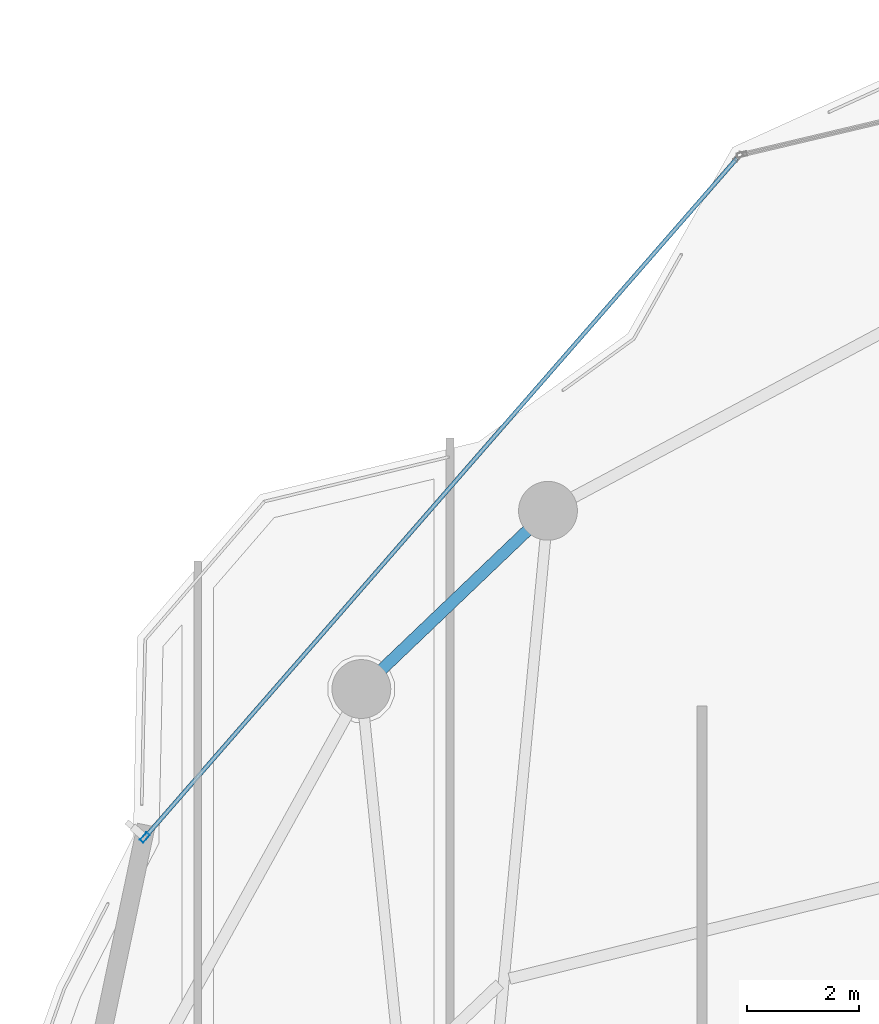
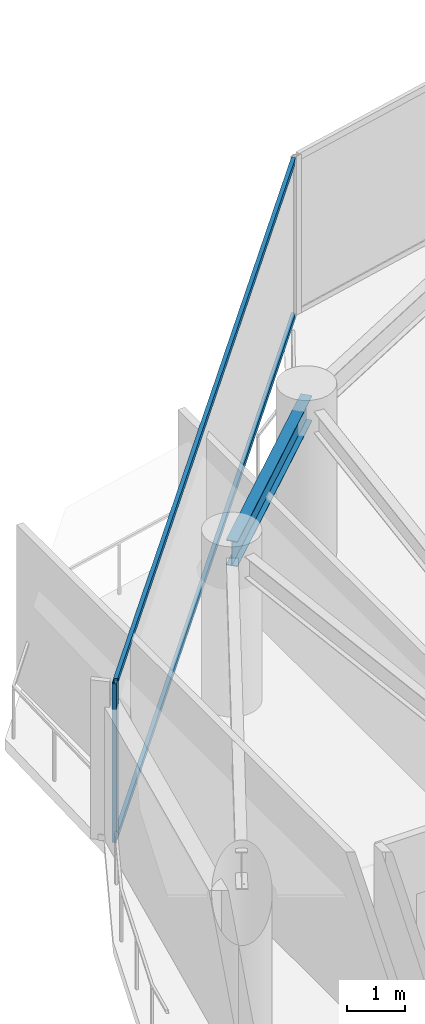
# One storey, part 16 of 29: 3 members, 1 beam, 1 element without a shape of its own.
"""IFC4 building model written with IfcOpenShell, lengths in metres."""

from ifc_helpers import new_model, si_unit, direction, frame, origin, origin_2d, place, context, subcontext, project, spatial, hollow_rectangle, i_section, extrude, material, layer, layer_set, material_profile, profile_set, type_object, element, aggregate, save


model = new_model("IFC4")

# Units and contexts
model_context = context("Model", 3, precision=1e-05, world=origin(), true_north=direction((0.0, 1.0)))
body_context = subcontext(model_context, "Body", "Model", "MODEL_VIEW")
ifc_project = project(units=[si_unit("LENGTHUNIT", "METRE"), si_unit("AREAUNIT", "SQUARE_METRE"), si_unit("VOLUMEUNIT", "CUBIC_METRE"), si_unit("PLANEANGLEUNIT", "RADIAN"), si_unit("MASSUNIT", "GRAM", prefix="KILO")], contexts=[model_context])

# Site, building, storey
site_placement = place(None, origin())
site = spatial("IfcSite", under=ifc_project, at=site_placement, CompositionType="ELEMENT")
building_placement = place(site_placement, origin())
building = spatial("IfcBuilding", under=site, at=building_placement, Name="Kazevale Care Tower and Concert Hall", CompositionType="ELEMENT")
storey_placement = place(building_placement, frame((0.0, 0.0, 224.39990234375)))
storey = spatial("IfcBuildingStorey", under=building, at=storey_placement, Name="L59", CompositionType="ELEMENT", Elevation=224.39990234375)

# Curtain wall, members
ifc_material_1 = material(Name="Aluminium 6063-T6 and Low-E Glass", Category="aluminium")
ifc_layer = layer(ifc_material_1, 0.179931640625)
ifc_layer_set = layer_set([ifc_layer], Name="Aluminium 6063-T6 and Low-E Glass")
curtain_wall_type = type_object("IfcCurtainWallType", Name="Convex Checkerboard Finned Curtain Wall CW-2", PredefinedType="NOTDEFINED", material=ifc_layer_set)
curtain_wall_placement = place(storey_placement, origin())
curtain_wall = element("IfcCurtainWall", 1, at=curtain_wall_placement, inside=storey, type_object=curtain_wall_type, Name="cw:L59:f14", PredefinedType="NOTDEFINED")
ifc_material_2 = material(Name="Aluminium 6063-T6", Category="aluminium")
ifc_material_profile_1 = material_profile(ifc_material_2, hollow_rectangle(XDim=0.080078125, YDim=0.179931640625, WallThickness=0.0048828125, at=origin_2d()), Name="ALU80x180x5")
ifc_profile_set_1 = profile_set([ifc_material_profile_1], Name="Aluminium 6063-T6")
member_type_1 = type_object("IfcMemberType", Name="CW-2 Mullion ALU80x180x5", PredefinedType="MULLION", material=ifc_profile_set_1)
member_1_placement = place(storey_placement, frame((16.55419921875, 49.17919921875, 0.0), z_axis=(0.0, 0.0, 1.0), x_axis=(-0.753738225685, 0.657174776708, 0.0)))
member_1 = element("IfcMember", 2, at=member_1_placement, type_object=member_type_1, Name="CW-2 mullion 1", PredefinedType="MULLION", context=body_context, shape_type="SweptSolid", body=[
    extrude(hollow_rectangle(XDim=0.080078125, YDim=0.179931640625, WallThickness=0.0048828125, at=origin_2d()), origin(), (0.0, 0.0, 1.0), 3.360107421875),
])
ifc_material_profile_2 = material_profile(ifc_material_2, hollow_rectangle(XDim=0.074951171875, YDim=0.1201171875, WallThickness=0.00390625, at=origin_2d()), Name="ALU75x120x4")
ifc_profile_set_2 = profile_set([ifc_material_profile_2], Name="Aluminium 6063-T6")
member_type_2 = type_object("IfcMemberType", Name="CW-2 Transom ALU75x120x4", PredefinedType="USERDEFINED", material=ifc_profile_set_2)
member_2_placement = place(storey_placement, frame((16.58056640625, 49.209228515625, 0.03759765625), z_axis=(0.657173569472, 0.753739278257, 0.0), x_axis=(-0.753739278257, 0.657173569472, 0.0)))
member_2 = element("IfcMember", 3, at=member_2_placement, type_object=member_type_2, Name="CW-2 transom 1.1", ObjectType="TRANSOM", PredefinedType="USERDEFINED", context=body_context, shape_type="SweptSolid", body=[
    extrude(hollow_rectangle(XDim=0.074951171875, YDim=0.1201171875, WallThickness=0.00390625, at=origin_2d()), origin(), (0.0, 0.0, 1.0), 16.03662109375),
])
member_3_placement = place(storey_placement, frame((16.58056640625, 49.209228515625, 3.322509765625), z_axis=(0.657173569472, 0.753739278257, 0.0), x_axis=(-0.753739278257, 0.657173569472, 0.0)))
member_3 = element("IfcMember", 4, at=member_3_placement, type_object=member_type_2, Name="CW-2 transom 1.2", ObjectType="TRANSOM", PredefinedType="USERDEFINED", context=body_context, shape_type="SweptSolid", body=[
    extrude(hollow_rectangle(XDim=0.074951171875, YDim=0.1201171875, WallThickness=0.00390625, at=origin_2d()), origin(), (0.0, 0.0, 1.0), 16.03662109375),
])
aggregate(curtain_wall, [member_1, member_2, member_3])

# Beam
ifc_material_3 = material(Name="Steel ASTM A572 Gr 50", Category="steel")
ifc_material_profile_3 = material_profile(ifc_material_3, i_section(OverallWidth=0.208984375, OverallDepth=0.532958984375, WebThickness=0.01025390625, FlangeThickness=0.015625, at=origin_2d()), Name="W530x92")
ifc_profile_set_3 = profile_set([ifc_material_profile_3], Name="Steel ASTM A572 Gr 50")
beam_type = type_object("IfcBeamType", Name="Upper Ring Beam W530x92", PredefinedType="BEAM", material=ifc_profile_set_3)
beam_placement = place(storey_placement, frame((23.75, 55.010009765625, 3.093505859375), z_axis=(-0.723223118589, -0.690614451585, 0.0), x_axis=(0.690614451585, -0.723223118589, 0.0)))
element("IfcBeam", 5, at=beam_placement, inside=storey, type_object=beam_type, Name="beam:L59:ring:07", PredefinedType="BEAM", context=body_context, shape_type="SweptSolid", body=[
    extrude(i_section(OverallWidth=0.208984375, OverallDepth=0.532958984375, WebThickness=0.01025390625, FlangeThickness=0.015625, at=origin_2d()), origin(), (0.0, 0.0, 1.0), 4.6044921875),
])

save(model, "model.ifc")
